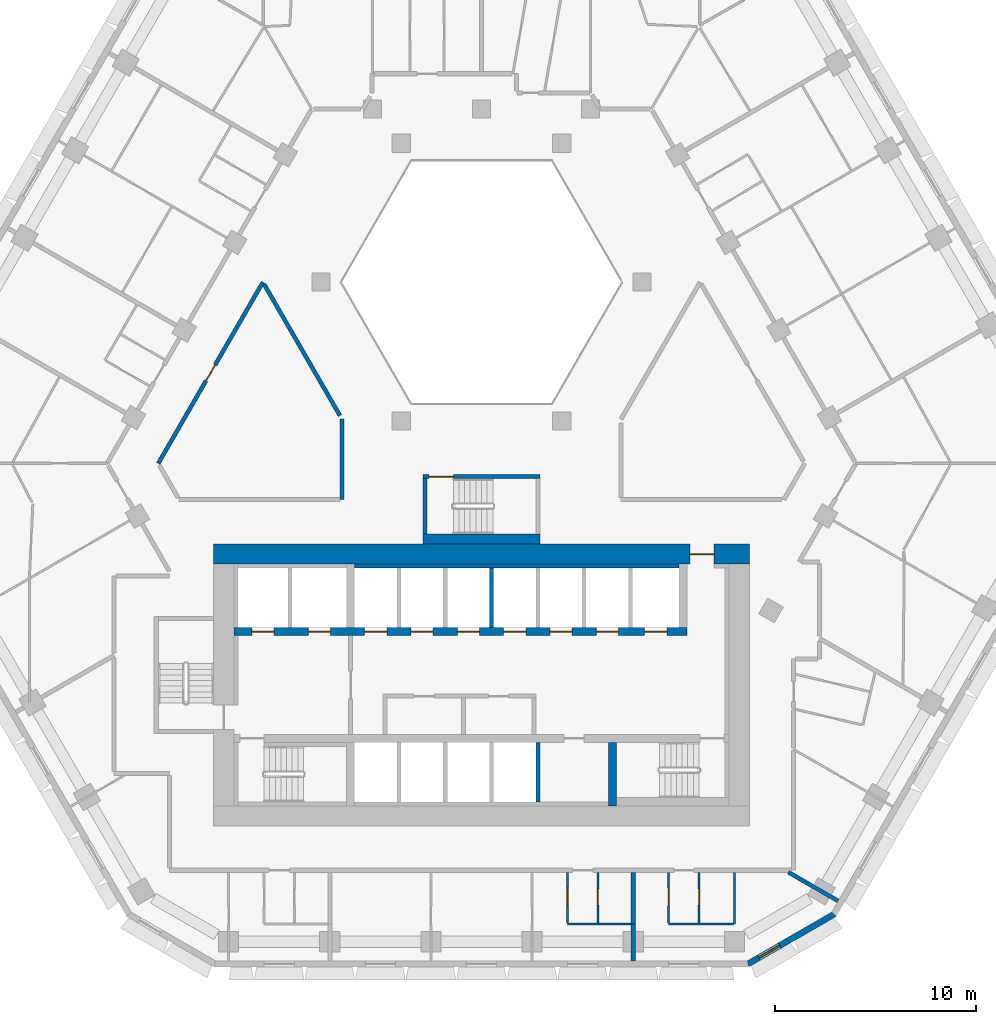
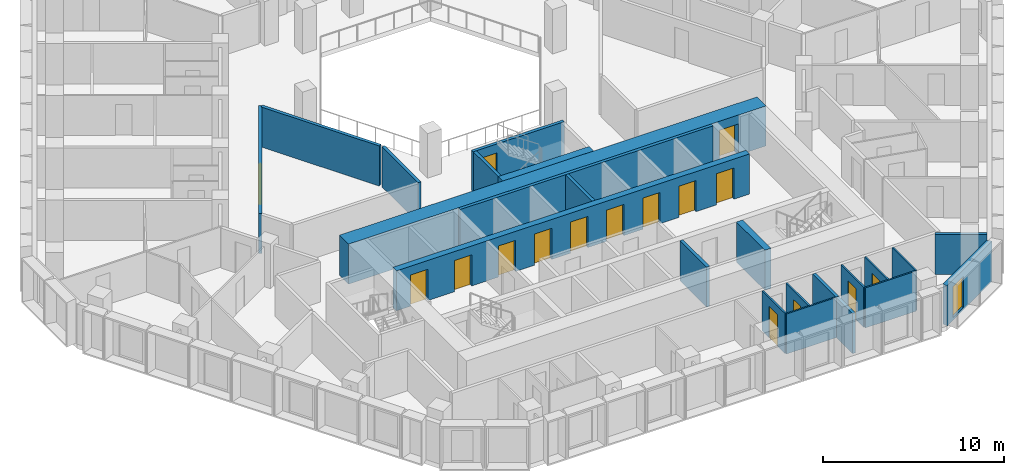
# One storey, part 5 of 15: 23 walls, 16 doors, 1 window, 17 openings.
"""IFC4 building model written with IfcOpenShell, lengths in metres."""

from ifc_helpers import new_model, si_unit, direction, frame, frame_2d, origin, place, context, subcontext, project, spatial, polyline, rectangle, outline, extrude, material, layer, layer_set, type_object, element, fill, save


model = new_model("IFC4")

# Units and contexts
model_context = context("Model", 3, precision=1e-05, world=origin(), true_north=direction((0.0, 1.0)))
body_context = subcontext(model_context, "Body", "Model", "MODEL_VIEW")
ifc_project = project(units=[si_unit("LENGTHUNIT", "METRE"), si_unit("AREAUNIT", "SQUARE_METRE"), si_unit("VOLUMEUNIT", "CUBIC_METRE"), si_unit("PLANEANGLEUNIT", "RADIAN"), si_unit("MASSUNIT", "GRAM", prefix="KILO")], contexts=[model_context])

# Site, building, storey
site_placement = place(None, origin())
site = spatial("IfcSite", under=ifc_project, at=site_placement, CompositionType="ELEMENT")
building_placement = place(site_placement, origin())
building = spatial("IfcBuilding", under=site, at=building_placement, Name="Beryl Residences", CompositionType="ELEMENT")
storey_placement = place(building_placement, frame((0.0, 0.0, 78.0)))
storey = spatial("IfcBuildingStorey", under=building, at=storey_placement, Name="L23", CompositionType="ELEMENT", Elevation=78.0)

# Wall, opening, window
ifc_material_1 = material(Name="Composite metal panel with mineral wool insulation")
ifc_layer_1 = layer(ifc_material_1, 0.300048828125)
ifc_layer_set_1 = layer_set([ifc_layer_1], Name="ES1 pale metal composite panel wall 300 mm")
wall_type_1 = type_object("IfcWallType", Name="ES1 pale metal composite panel wall 300 mm", PredefinedType="SOLIDWALL", material=ifc_layer_set_1)
wall_1_placement = place(storey_placement, frame((13.2041015625, -25.8701171875, 0.0), z_axis=(0.0, 0.0, 1.0), x_axis=(0.866010750942, 0.50002537861, 0.0)))
wall_1 = element("IfcWall", 1, at=wall_1_placement, inside=storey, type_object=wall_type_1, Name="ES1 external wall L23 S-SE", PredefinedType="SOLIDWALL", context=body_context, shape_type="SweptSolid", body=[
    extrude(outline(polyline([(0.0, -0.14990234375), (4.999755859375, -0.14990234375), (4.91943359375, 0.14990234375), (0.080322265625, 0.14990234375), (0.0, -0.14990234375)])), origin(), (0.0, 0.0, 1.0), 2.699951171875),
])
opening_1_placement = place(wall_1_placement, frame((0.64990234375, 0.0, 0.14990234375)))
opening_1 = element("IfcOpeningElement", 2, at=opening_1_placement, cuts=wall_1, Name="Opening W2", PredefinedType="OPENING", context=body_context, shape_type="SweptSolid", body=[
    extrude(rectangle(XDim=1.199951171875, YDim=2.10009765625, at=frame_2d((0.60009765625, 1.050048828125))), frame((0.0, 0.159912109375, 0.0), z_axis=(0.0, -1.0, 0.0), x_axis=(1.0, 0.0, 0.0)), (0.0, 0.0, 1.0), 0.320068359375),
])
ifc_material_2 = material(Name="Aluminium and clear glass", Category="aluminium")
window_type = type_object("IfcWindowType", Name="W2 chamfer window 1200 x 2100 mm", PartitioningType="SINGLE_PANEL", PredefinedType="WINDOW", material=ifc_material_2)
window_placement = place(opening_1_placement, origin())
window = element("IfcWindow", 3, at=window_placement, inside=storey, type_object=window_type, Name="W2 window L23 S-SE 1", OverallHeight=2.10009765625, OverallWidth=1.199951171875, PartitioningType="SINGLE_PANEL", PredefinedType="WINDOW", context=body_context, shape_type="SweptSolid", body=[
    extrude(rectangle(XDim=1.199951171875, YDim=2.10009765625, at=frame_2d((0.60009765625, 1.050048828125))), frame((0.0, 0.030029296875, 0.0), z_axis=(0.0, -1.0, 0.0), x_axis=(1.0, 0.0, 0.0)), (0.0, 0.0, 1.0), 0.06005859375),
])
fill(opening_1, window)

# Wall, opening, door
ifc_material_3 = material(Name="Gypsum board partition on steel studs", Category="steel")
ifc_layer_2 = layer(ifc_material_3, 0.10009765625)
ifc_layer_set_2 = layer_set([ifc_layer_2], Name="PT1 partition 100 mm gypsum board on steel studs")
wall_type_2 = type_object("IfcWallType", Name="PT1 partition 100 mm gypsum board on steel studs", PredefinedType="PARTITIONING", material=ifc_layer_set_2)
wall_2_placement = place(storey_placement, frame((4.27001953125, -21.300048828125, 0.0), z_axis=(0.0, 0.0, 1.0), x_axis=(0.0, -1.0, 0.0)))
wall_2 = element("IfcWall", 4, at=wall_2_placement, inside=storey, type_object=wall_type_2, Name="Wall PT1 L23 012", PredefinedType="PARTITIONING", context=body_context, shape_type="SweptSolid", body=[
    extrude(rectangle(XDim=2.509033203125, YDim=0.10009765625, at=frame_2d((1.25439453125, 0.0))), origin(), (0.0, 0.0, 1.0), 2.699951171875),
])
opening_2_placement = place(wall_2_placement, frame((0.780029296875, 0.0, 0.0)))
opening_2 = element("IfcOpeningElement", 5, at=opening_2_placement, cuts=wall_2, Name="Opening D0852", PredefinedType="OPENING", context=body_context, shape_type="SweptSolid", body=[
    extrude(rectangle(XDim=0.89990234375, YDim=2.10009765625, at=frame_2d((0.449951171875, 1.050048828125))), frame((0.0, 0.06005859375, 0.0), z_axis=(0.0, -1.0, 0.0), x_axis=(1.0, 0.0, 0.0)), (0.0, 0.0, 1.0), 0.1201171875),
])
ifc_material_4 = material(Name="Timber door leaf", Category="wood")
door_type_1 = type_object("IfcDoorType", Name="D2 room door 900 x 2100 mm", OperationType="SINGLE_SWING_LEFT", PredefinedType="DOOR", material=ifc_material_4)
door_1_placement = place(opening_2_placement, origin())
door_1 = element("IfcDoor", 6, at=door_1_placement, inside=storey, type_object=door_type_1, Name="Door D0852 L23 001", OperationType="SINGLE_SWING_RIGHT", OverallHeight=2.10009765625, OverallWidth=0.89990234375, PredefinedType="DOOR", context=body_context, shape_type="SweptSolid", body=[
    extrude(rectangle(XDim=0.89990234375, YDim=2.10009765625, at=frame_2d((0.449951171875, 1.050048828125))), frame((0.0, 0.02490234375, 0.0), z_axis=(0.0, -1.0, 0.0), x_axis=(1.0, 0.0, 0.0)), (0.0, 0.0, 1.0), 0.050048828125),
])
fill(opening_2, door_1)

wall_3_placement = place(storey_placement, frame((9.29296875, -21.300048828125, 0.0), z_axis=(0.0, 0.0, 1.0), x_axis=(0.0, -1.0, 0.0)))
wall_3 = element("IfcWall", 7, at=wall_3_placement, inside=storey, type_object=wall_type_2, Name="Wall PT1 L23 013", PredefinedType="PARTITIONING", context=body_context, shape_type="SweptSolid", body=[
    extrude(rectangle(XDim=2.509033203125, YDim=0.10009765625, at=frame_2d((1.25439453125, 0.0))), origin(), (0.0, 0.0, 1.0), 2.699951171875),
])
opening_3_placement = place(wall_3_placement, frame((0.780029296875, 0.0, 0.0)))
opening_3 = element("IfcOpeningElement", 8, at=opening_3_placement, cuts=wall_3, Name="Opening D0857", PredefinedType="OPENING", context=body_context, shape_type="SweptSolid", body=[
    extrude(rectangle(XDim=0.89990234375, YDim=2.10009765625, at=frame_2d((0.449951171875, 1.050048828125))), frame((0.0, 0.06005859375, 0.0), z_axis=(0.0, -1.0, 0.0), x_axis=(1.0, 0.0, 0.0)), (0.0, 0.0, 1.0), 0.1201171875),
])
door_2_placement = place(opening_3_placement, origin())
door_2 = element("IfcDoor", 9, at=door_2_placement, inside=storey, type_object=door_type_1, Name="Door D0857 L23 001", OperationType="SINGLE_SWING_LEFT", OverallHeight=2.10009765625, OverallWidth=0.89990234375, PredefinedType="DOOR", context=body_context, shape_type="SweptSolid", body=[
    extrude(rectangle(XDim=0.89990234375, YDim=2.10009765625, at=frame_2d((0.449951171875, 1.050048828125))), frame((0.0, 0.02490234375, 0.0), z_axis=(0.0, -1.0, 0.0), x_axis=(1.0, 0.0, 0.0)), (0.0, 0.0, 1.0), 0.050048828125),
])
fill(opening_3, door_2)

# Walls
wall_4_placement = place(storey_placement, frame((4.27099609375, -23.860107421875, 0.0), z_axis=(0.0, 0.0, 1.0), x_axis=(1.0, 0.0, 0.0)))
element("IfcWall", 10, at=wall_4_placement, inside=storey, type_object=wall_type_2, Name="Wall PT1 L23 030", PredefinedType="PARTITIONING", context=body_context, shape_type="SweptSolid", body=[
    extrude(rectangle(XDim=3.1640625, YDim=0.10009765625, at=frame_2d((1.58203125, 0.0))), origin(), (0.0, 0.0, 1.0), 2.699951171875),
])
wall_5_placement = place(storey_placement, frame((9.2939453125, -23.860107421875, 0.0), z_axis=(0.0, 0.0, 1.0), x_axis=(1.0, 0.0, 0.0)))
element("IfcWall", 11, at=wall_5_placement, inside=storey, type_object=wall_type_2, Name="Wall PT1 L23 031", PredefinedType="PARTITIONING", context=body_context, shape_type="SweptSolid", body=[
    extrude(rectangle(XDim=3.213134765625, YDim=0.10009765625, at=frame_2d((1.6064453125, 0.0))), origin(), (0.0, 0.0, 1.0), 2.699951171875),
])

# Wall, opening, door
wall_6_placement = place(storey_placement, frame((5.777099609375, -23.81005859375, 0.0), z_axis=(0.0, 0.0, 1.0), x_axis=(0.0, 1.0, 0.0)))
wall_6 = element("IfcWall", 12, at=wall_6_placement, inside=storey, type_object=wall_type_2, Name="Wall PT1 L23 048", PredefinedType="PARTITIONING", context=body_context, shape_type="SweptSolid", body=[
    extrude(rectangle(XDim=2.510009765625, YDim=0.10009765625, at=frame_2d((1.2548828125, 0.0))), origin(), (0.0, 0.0, 1.0), 2.699951171875),
])
opening_4_placement = place(wall_6_placement, frame((0.8798828125, 0.0, 0.0)))
opening_4 = element("IfcOpeningElement", 13, at=opening_4_placement, cuts=wall_6, Name="Opening D0853", PredefinedType="OPENING", context=body_context, shape_type="SweptSolid", body=[
    extrude(rectangle(XDim=0.800048828125, YDim=2.10009765625, at=frame_2d((0.39990234375, 1.050048828125))), frame((0.0, 0.06005859375, 0.0), z_axis=(0.0, -1.0, 0.0), x_axis=(1.0, 0.0, 0.0)), (0.0, 0.0, 1.0), 0.1201171875),
])
ifc_material_5 = material(Name="Timber door leaf", Category="wood")
door_type_2 = type_object("IfcDoorType", Name="D3 bathroom door 800 x 2100 mm", OperationType="SINGLE_SWING_LEFT", PredefinedType="DOOR", material=ifc_material_5)
door_3_placement = place(opening_4_placement, origin())
door_3 = element("IfcDoor", 14, at=door_3_placement, inside=storey, type_object=door_type_2, Name="Door D0853 L23 001", OperationType="SINGLE_SWING_LEFT", OverallHeight=2.10009765625, OverallWidth=0.800048828125, PredefinedType="DOOR", context=body_context, shape_type="SweptSolid", body=[
    extrude(rectangle(XDim=0.800048828125, YDim=2.10009765625, at=frame_2d((0.39990234375, 1.050048828125))), frame((0.0, 0.02490234375, 0.0), z_axis=(0.0, -1.0, 0.0), x_axis=(1.0, 0.0, 0.0)), (0.0, 0.0, 1.0), 0.050048828125),
])
fill(opening_4, door_3)

wall_7_placement = place(storey_placement, frame((10.800048828125, -23.81005859375, 0.0), z_axis=(0.0, 0.0, 1.0), x_axis=(0.0, 1.0, 0.0)))
wall_7 = element("IfcWall", 15, at=wall_7_placement, inside=storey, type_object=wall_type_2, Name="Wall PT1 L23 049", PredefinedType="PARTITIONING", context=body_context, shape_type="SweptSolid", body=[
    extrude(rectangle(XDim=2.510009765625, YDim=0.10009765625, at=frame_2d((1.2548828125, 0.0))), origin(), (0.0, 0.0, 1.0), 2.699951171875),
])
opening_5_placement = place(wall_7_placement, frame((0.8798828125, 0.0, 0.0)))
opening_5 = element("IfcOpeningElement", 16, at=opening_5_placement, cuts=wall_7, Name="Opening D0858", PredefinedType="OPENING", context=body_context, shape_type="SweptSolid", body=[
    extrude(rectangle(XDim=0.800048828125, YDim=2.10009765625, at=frame_2d((0.39990234375, 1.050048828125))), frame((0.0, 0.06005859375, 0.0), z_axis=(0.0, -1.0, 0.0), x_axis=(1.0, 0.0, 0.0)), (0.0, 0.0, 1.0), 0.1201171875),
])
door_4_placement = place(opening_5_placement, origin())
door_4 = element("IfcDoor", 17, at=door_4_placement, inside=storey, type_object=door_type_2, Name="Door D0858 L23 001", OperationType="SINGLE_SWING_RIGHT", OverallHeight=2.10009765625, OverallWidth=0.800048828125, PredefinedType="DOOR", context=body_context, shape_type="SweptSolid", body=[
    extrude(rectangle(XDim=0.800048828125, YDim=2.10009765625, at=frame_2d((0.39990234375, 1.050048828125))), frame((0.0, 0.02490234375, 0.0), z_axis=(0.0, -1.0, 0.0), x_axis=(1.0, 0.0, 0.0)), (0.0, 0.0, 1.0), 0.050048828125),
])
fill(opening_5, door_4)

# Walls
wall_8_placement = place(storey_placement, frame((12.55810546875, -23.85888671875, 0.0), z_axis=(0.0, 0.0, 1.0), x_axis=(0.0, 1.0, 0.0)))
element("IfcWall", 18, at=wall_8_placement, inside=storey, type_object=wall_type_2, Name="Wall PT1 L23 051", PredefinedType="PARTITIONING", context=body_context, shape_type="SweptSolid", body=[
    extrude(rectangle(XDim=2.558837890625, YDim=0.10009765625, at=frame_2d((1.279296875, 0.0))), origin(), (0.0, 0.0, 1.0), 2.699951171875),
])
ifc_material_6 = material(Name="Acoustic double stud gypsum board wall")
ifc_layer_3 = layer(ifc_material_6, 0.199951171875)
ifc_layer_set_3 = layer_set([ifc_layer_3], Name="PT3 party wall 200 mm acoustic double stud")
wall_type_3 = type_object("IfcWallType", Name="PT3 party wall 200 mm acoustic double stud", PredefinedType="PARTITIONING", material=ifc_layer_set_3)
wall_9_placement = place(storey_placement, frame((7.534912109375, -23.860107421875, 0.0), z_axis=(0.0, 0.0, 1.0), x_axis=(0.0, -1.0, 0.0)))
element("IfcWall", 19, at=wall_9_placement, inside=storey, type_object=wall_type_3, Name="Wall PT3 L23 002", PredefinedType="PARTITIONING", context=body_context, shape_type="SweptSolid", body=[
    extrude(rectangle(XDim=1.83984375, YDim=0.199951171875, at=frame_2d((0.919921875, 0.0))), origin(), (0.0, 0.0, 1.0), 2.699951171875),
])
wall_10_placement = place(storey_placement, frame((15.239990234375, -21.300048828125, 0.0), z_axis=(0.0, 0.0, 1.0), x_axis=(0.866090043625, -0.499888023795, 0.0)))
element("IfcWall", 20, at=wall_10_placement, inside=storey, type_object=wall_type_3, Name="Wall PT3 L23 004", PredefinedType="PARTITIONING", context=body_context, shape_type="SweptSolid", body=[
    extrude(rectangle(XDim=2.850830078125, YDim=0.199951171875, at=frame_2d((1.42529296875, 0.0))), origin(), (0.0, 0.0, 1.0), 2.699951171875),
])
wall_11_placement = place(storey_placement, frame((7.534912109375, -23.860107421875, 0.0), z_axis=(0.0, 0.0, 1.0), x_axis=(0.0, 1.0, 0.0)))
element("IfcWall", 21, at=wall_11_placement, inside=storey, type_object=wall_type_3, Name="Wall PT3 L23 008", PredefinedType="PARTITIONING", context=body_context, shape_type="SweptSolid", body=[
    extrude(rectangle(XDim=2.56005859375, YDim=0.199951171875, at=frame_2d((1.280029296875, 0.0))), origin(), (0.0, 0.0, 1.0), 2.699951171875),
])
ifc_material_7 = material(Name="Double stud gypsum board wall")
ifc_layer_4 = layer(ifc_material_7, 0.199951171875)
ifc_layer_set_4 = layer_set([ifc_layer_4], Name="PT4 corridor wall 200 mm double stud")
wall_type_4 = type_object("IfcWallType", Name="PT4 corridor wall 200 mm double stud", PredefinedType="PARTITIONING", material=ifc_layer_set_4)
wall_12_placement = place(storey_placement, frame((-10.7958984375, 7.89892578125, 0.0), z_axis=(0.0, 0.0, 1.0), x_axis=(0.500010383074, -0.866019409031, 0.0)))
element("IfcWall", 22, at=wall_12_placement, inside=storey, type_object=wall_type_4, Name="Wall PT4 L23 001", PredefinedType="PARTITIONING", context=body_context, shape_type="SweptSolid", body=[
    extrude(rectangle(XDim=7.535400390625, YDim=0.199951171875, at=frame_2d((3.767578125, 0.0))), origin(), (0.0, 0.0, 1.0), 2.699951171875),
])

# Wall, opening, door
wall_13_placement = place(storey_placement, frame((-16.050048828125, -1.0, 0.0), z_axis=(0.0, 0.0, 1.0), x_axis=(0.499962449088, 0.866047082728, 0.0)))
wall_13 = element("IfcWall", 23, at=wall_13_placement, inside=storey, type_object=wall_type_4, Name="Wall PT4 L23 027", PredefinedType="PARTITIONING", context=body_context, shape_type="SweptSolid", body=[
    extrude(rectangle(XDim=10.390869140625, YDim=0.199951171875, at=frame_2d((5.1953125, 0.0))), origin(), (0.0, 0.0, 1.0), 2.699951171875),
])
opening_6_placement = place(wall_13_placement, frame((4.7451171875, 0.0, 0.0)))
opening_6 = element("IfcOpeningElement", 24, at=opening_6_placement, cuts=wall_13, Name="Opening D0863", PredefinedType="OPENING", context=body_context, shape_type="SweptSolid", body=[
    extrude(rectangle(XDim=0.89990234375, YDim=2.10009765625, at=frame_2d((0.449951171875, 1.050048828125))), frame((0.0, 0.10986328125, 0.0), z_axis=(0.0, -1.0, 0.0), x_axis=(1.0, 0.0, 0.0)), (0.0, 0.0, 1.0), 0.219970703125),
])
door_5_placement = place(opening_6_placement, origin())
door_5 = element("IfcDoor", 25, at=door_5_placement, inside=storey, type_object=door_type_1, Name="Door D0863 L23 001", OperationType="SINGLE_SWING_LEFT", OverallHeight=2.10009765625, OverallWidth=0.89990234375, PredefinedType="DOOR", context=body_context, shape_type="SweptSolid", body=[
    extrude(rectangle(XDim=0.89990234375, YDim=2.10009765625, at=frame_2d((0.449951171875, 1.050048828125))), frame((0.0, 0.02490234375, 0.0), z_axis=(0.0, -1.0, 0.0), x_axis=(1.0, 0.0, 0.0)), (0.0, 0.0, 1.0), 0.050048828125),
])
fill(opening_6, door_5)

# Wall
wall_14_placement = place(storey_placement, frame((-6.927978515625, -2.799072265625, 0.0), z_axis=(0.0, 0.0, 1.0), x_axis=(0.0, 1.0, 0.0)))
element("IfcWall", 26, at=wall_14_placement, inside=storey, type_object=wall_type_4, Name="Wall PT4 L23 034", PredefinedType="PARTITIONING", context=body_context, shape_type="SweptSolid", body=[
    extrude(rectangle(XDim=3.9990234375, YDim=0.199951171875, at=frame_2d((1.99951171875, 0.0))), origin(), (0.0, 0.0, 1.0), 2.699951171875),
])

# Wall, opening, door
ifc_material_8 = material(Name="Concrete C40/50", Category="concrete")
ifc_layer_5 = layer(ifc_material_8, 0.199951171875)
ifc_layer_set_5 = layer_set([ifc_layer_5], Name="PT5 stair enclosure wall 200 mm reinforced concrete C40/50")
wall_type_5 = type_object("IfcWallType", Name="PT5 stair enclosure wall 200 mm reinforced concrete C40/50", PredefinedType="SOLIDWALL", material=ifc_layer_set_5)
wall_15_placement = place(storey_placement, frame((-2.89990234375, -1.64990234375, 0.0), z_axis=(0.0, 0.0, 1.0), x_axis=(1.0, 0.0, 0.0)))
wall_15 = element("IfcWall", 27, at=wall_15_placement, inside=storey, type_object=wall_type_5, Name="Wall PT5 L23 001", PredefinedType="SOLIDWALL", context=body_context, shape_type="SweptSolid", body=[
    extrude(rectangle(XDim=5.7998046875, YDim=0.199951171875, at=frame_2d((2.89990234375, 0.0))), origin(), (0.0, 0.0, 1.0), 2.699951171875),
])
opening_7_placement = place(wall_15_placement, frame((0.300048828125, 0.0, 0.0)))
opening_7 = element("IfcOpeningElement", 28, at=opening_7_placement, cuts=wall_15, Name="Opening DS04", PredefinedType="OPENING", context=body_context, shape_type="SweptSolid", body=[
    extrude(rectangle(XDim=1.199951171875, YDim=2.10009765625, at=frame_2d((0.60009765625, 1.050048828125))), frame((0.0, 0.10986328125, 0.0), z_axis=(0.0, -1.0, 0.0), x_axis=(1.0, 0.0, 0.0)), (0.0, 0.0, 1.0), 0.219970703125),
])
ifc_material_9 = material(Name="Steel door leaf in steel frame", Category="steel")
door_type_3 = type_object("IfcDoorType", Name="D4 stair door 1200 x 2100 mm", OperationType="SINGLE_SWING_LEFT", PredefinedType="DOOR", material=ifc_material_9)
door_6_placement = place(opening_7_placement, origin())
door_6 = element("IfcDoor", 29, at=door_6_placement, inside=storey, type_object=door_type_3, Name="Door DS04 L23 001", OperationType="SINGLE_SWING_LEFT", OverallHeight=2.10009765625, OverallWidth=1.199951171875, PredefinedType="DOOR", context=body_context, shape_type="SweptSolid", body=[
    extrude(rectangle(XDim=1.199951171875, YDim=2.10009765625, at=frame_2d((0.60009765625, 1.050048828125))), frame((0.0, 0.02490234375, 0.0), z_axis=(0.0, -1.0, 0.0), x_axis=(1.0, 0.0, 0.0)), (0.0, 0.0, 1.0), 0.050048828125),
])
fill(opening_7, door_6)

# Walls
wall_16_placement = place(storey_placement, frame((-2.800048828125, -4.5, 0.0), z_axis=(0.0, 0.0, 1.0), x_axis=(0.0, 1.0, 0.0)))
element("IfcWall", 30, at=wall_16_placement, inside=storey, type_object=wall_type_5, Name="Wall PT5 L23 002", PredefinedType="SOLIDWALL", context=body_context, shape_type="SweptSolid", body=[
    extrude(rectangle(XDim=2.75, YDim=0.199951171875, at=frame_2d((1.375, 0.0))), origin(), (0.0, 0.0, 1.0), 2.699951171875),
])
ifc_material_10 = material(Name="Concrete C40/50", Category="concrete")
ifc_layer_6 = layer(ifc_material_10, 0.5)
ifc_layer_set_6 = layer_set([ifc_layer_6], Name="PT5-500 stair enclosure wall 500 mm")
wall_type_6 = type_object("IfcWallType", Name="PT5-500 stair enclosure wall 500 mm", PredefinedType="SOLIDWALL", material=ifc_layer_set_6)
wall_17_placement = place(storey_placement, frame((-2.89990234375, -4.75, 0.0), z_axis=(0.0, 0.0, 1.0), x_axis=(1.0, 0.0, 0.0)))
element("IfcWall", 31, at=wall_17_placement, inside=storey, type_object=wall_type_6, Name="Wall PT5-500 L23 001", PredefinedType="SOLIDWALL", context=body_context, shape_type="SweptSolid", body=[
    extrude(rectangle(XDim=5.7998046875, YDim=0.5, at=frame_2d((2.89990234375, 0.0))), origin(), (0.0, 0.0, 1.0), 2.699951171875),
])
ifc_material_11 = material(Name="Concrete C40/50", Category="concrete")
ifc_layer_7 = layer(ifc_material_11, 0.199951171875)
ifc_layer_set_7 = layer_set([ifc_layer_7], Name="PT6 lift shaft wall 200 mm reinforced concrete C40/50")
wall_type_7 = type_object("IfcWallType", Name="PT6 lift shaft wall 200 mm reinforced concrete C40/50", PredefinedType="SOLIDWALL", material=ifc_layer_set_7)
wall_18_placement = place(storey_placement, frame((-6.300048828125, -6.10009765625, 0.0), z_axis=(0.0, 0.0, 1.0), x_axis=(1.0, 0.0, 0.0)))
element("IfcWall", 32, at=wall_18_placement, inside=storey, type_object=wall_type_7, Name="Lift shaft wall 13", PredefinedType="SOLIDWALL", context=body_context, shape_type="SweptSolid", body=[
    extrude(rectangle(XDim=16.10009765625, YDim=0.199951171875, at=frame_2d((8.050048828125, 0.0))), origin(), (0.0, 0.0, 1.0), 2.699951171875),
])
for number, where, z_axis, x_axis, name in (
    (33, (0.5, -9.14990234375, 0.0), (0.0, 0.0, 1.0), (0.0, 1.0, 0.0), "Lift shaft wall 22"),
    (34, (2.800048828125, -17.800048828125, 0.0), (0.0, 0.0, 1.0), (0.0, 1.0, 0.0), "Lift shaft wall 24"),
):
    element("IfcWall", number, at=place(storey_placement, frame(where, z_axis=z_axis, x_axis=x_axis)), inside=storey, type_object=wall_type_7, Name=name, PredefinedType="SOLIDWALL", context=body_context, shape_type="SweptSolid", body=[
        extrude(rectangle(XDim=2.949951171875, YDim=0.199951171875, at=frame_2d((1.47509765625, 0.0))), origin(), (0.0, 0.0, 1.0), 2.699951171875),
    ])

# Wall, opening, door
ifc_material_12 = material(Name="Concrete C70/85", Category="concrete")
ifc_layer_8 = layer(ifc_material_12, 1.0)
ifc_layer_set_8 = layer_set([ifc_layer_8], Name="SW2 core outer wall 1000 mm C70/85")
wall_type_8 = type_object("IfcWallType", Name="SW2 core outer wall 1000 mm C70/85", PredefinedType="SHEAR", material=ifc_layer_set_8)
wall_19_placement = place(storey_placement, frame((-13.300048828125, -5.5, 0.0), z_axis=(0.0, 0.0, 1.0), x_axis=(1.0, 0.0, 0.0)))
wall_19 = element("IfcWall", 35, at=wall_19_placement, inside=storey, type_object=wall_type_8, Name="Core wall N L23", PredefinedType="SHEAR", context=body_context, shape_type="SweptSolid", body=[
    extrude(rectangle(XDim=26.60009765625, YDim=1.0, at=frame_2d((13.300048828125, 0.0))), origin(), (0.0, 0.0, 1.0), 2.699951171875),
])
opening_8_placement = place(wall_19_placement, frame((23.64990234375, 0.0, 0.0)))
opening_8 = element("IfcOpeningElement", 36, at=opening_8_placement, cuts=wall_19, Name="Opening FD-NORTH", PredefinedType="OPENING", context=body_context, shape_type="SweptSolid", body=[
    extrude(rectangle(XDim=1.199951171875, YDim=2.10009765625, at=frame_2d((0.60009765625, 1.050048828125))), frame((0.0, 0.510009765625, 0.0), z_axis=(0.0, -1.0, 0.0), x_axis=(1.0, 0.0, 0.0)), (0.0, 0.0, 1.0), 1.02001953125),
])
ifc_material_13 = material(Name="Steel door leaf in steel frame", Category="steel")
door_type_4 = type_object("IfcDoorType", Name="D22 lobby door 1200 x 2100 mm", OperationType="DOUBLE_DOOR_SINGLE_SWING", PredefinedType="DOOR", material=ifc_material_13)
door_7_placement = place(opening_8_placement, origin())
door_7 = element("IfcDoor", 37, at=door_7_placement, inside=storey, type_object=door_type_4, Name="Door FD-NORTH L23 001", OperationType="DOUBLE_DOOR_SINGLE_SWING", OverallHeight=2.10009765625, OverallWidth=1.199951171875, PredefinedType="DOOR", context=body_context, shape_type="SweptSolid", body=[
    extrude(rectangle(XDim=1.199951171875, YDim=2.10009765625, at=frame_2d((0.60009765625, 1.050048828125))), frame((0.0, 0.02490234375, 0.0), z_axis=(0.0, -1.0, 0.0), x_axis=(1.0, 0.0, 0.0)), (0.0, 0.0, 1.0), 0.050048828125),
])
fill(opening_8, door_7)

# Wall, openings, doors
ifc_material_14 = material(Name="Concrete C70/85", Category="concrete")
ifc_layer_9 = layer(ifc_material_14, 0.39990234375)
ifc_layer_set_9 = layer_set([ifc_layer_9], Name="SW7 core internal wall 400 mm C70/85")
wall_type_9 = type_object("IfcWallType", Name="SW7 core internal wall 400 mm C70/85", PredefinedType="SHEAR", material=ifc_layer_set_9)
wall_20_placement = place(storey_placement, frame((-12.300048828125, -9.35009765625, 0.0), z_axis=(0.0, 0.0, 1.0), x_axis=(1.0, 0.0, 0.0)))
wall_20 = element("IfcWall", 38, at=wall_20_placement, inside=storey, type_object=wall_type_9, Name="Core wall SP2 L23", PredefinedType="SHEAR", context=body_context, shape_type="SweptSolid", body=[
    extrude(rectangle(XDim=22.5, YDim=0.39990234375, at=frame_2d((11.25, 0.0))), origin(), (0.0, 0.0, 1.0), 2.699951171875),
])
opening_9_placement = place(wall_20_placement, frame((0.89990234375, 0.0, 0.0)))
opening_9 = element("IfcOpeningElement", 39, at=opening_9_placement, cuts=wall_20, Name="Opening LD-FF1", PredefinedType="OPENING", context=body_context, shape_type="SweptSolid", body=[
    extrude(rectangle(XDim=1.10009765625, YDim=2.10009765625, at=frame_2d((0.550048828125, 1.050048828125))), frame((0.0, 0.2099609375, 0.0), z_axis=(0.0, -1.0, 0.0), x_axis=(1.0, 0.0, 0.0)), (0.0, 0.0, 1.0), 0.419921875),
])
opening_10_placement = place(wall_20_placement, frame((3.699951171875, 0.0, 0.0)))
opening_10 = element("IfcOpeningElement", 40, at=opening_10_placement, cuts=wall_20, Name="Opening LD-FF2", PredefinedType="OPENING", context=body_context, shape_type="SweptSolid", body=[
    extrude(rectangle(XDim=1.10009765625, YDim=2.10009765625, at=frame_2d((0.550048828125, 1.050048828125))), frame((0.0, 0.2099609375, 0.0), z_axis=(0.0, -1.0, 0.0), x_axis=(1.0, 0.0, 0.0)), (0.0, 0.0, 1.0), 0.419921875),
])
opening_11_placement = place(wall_20_placement, frame((6.5, 0.0, 0.0)))
opening_11 = element("IfcOpeningElement", 41, at=opening_11_placement, cuts=wall_20, Name="Opening LD-LR1", PredefinedType="OPENING", context=body_context, shape_type="SweptSolid", body=[
    extrude(rectangle(XDim=1.10009765625, YDim=2.10009765625, at=frame_2d((0.550048828125, 1.050048828125))), frame((0.0, 0.2099609375, 0.0), z_axis=(0.0, -1.0, 0.0), x_axis=(1.0, 0.0, 0.0)), (0.0, 0.0, 1.0), 0.419921875),
])
opening_12_placement = place(wall_20_placement, frame((8.800048828125, 0.0, 0.0)))
opening_12 = element("IfcOpeningElement", 42, at=opening_12_placement, cuts=wall_20, Name="Opening LD-LR2", PredefinedType="OPENING", context=body_context, shape_type="SweptSolid", body=[
    extrude(rectangle(XDim=1.10009765625, YDim=2.10009765625, at=frame_2d((0.550048828125, 1.050048828125))), frame((0.0, 0.2099609375, 0.0), z_axis=(0.0, -1.0, 0.0), x_axis=(1.0, 0.0, 0.0)), (0.0, 0.0, 1.0), 0.419921875),
])
opening_13_placement = place(wall_20_placement, frame((11.10009765625, 0.0, 0.0)))
opening_13 = element("IfcOpeningElement", 43, at=opening_13_placement, cuts=wall_20, Name="Opening LD-LR3", PredefinedType="OPENING", context=body_context, shape_type="SweptSolid", body=[
    extrude(rectangle(XDim=1.10009765625, YDim=2.10009765625, at=frame_2d((0.550048828125, 1.050048828125))), frame((0.0, 0.2099609375, 0.0), z_axis=(0.0, -1.0, 0.0), x_axis=(1.0, 0.0, 0.0)), (0.0, 0.0, 1.0), 0.419921875),
])
opening_14_placement = place(wall_20_placement, frame((13.39990234375, 0.0, 0.0)))
opening_14 = element("IfcOpeningElement", 44, at=opening_14_placement, cuts=wall_20, Name="Opening LD-LR4", PredefinedType="OPENING", context=body_context, shape_type="SweptSolid", body=[
    extrude(rectangle(XDim=1.10009765625, YDim=2.10009765625, at=frame_2d((0.550048828125, 1.050048828125))), frame((0.0, 0.2099609375, 0.0), z_axis=(0.0, -1.0, 0.0), x_axis=(1.0, 0.0, 0.0)), (0.0, 0.0, 1.0), 0.419921875),
])
opening_15_placement = place(wall_20_placement, frame((15.699951171875, 0.0, 0.0)))
opening_15 = element("IfcOpeningElement", 45, at=opening_15_placement, cuts=wall_20, Name="Opening LD-LR5", PredefinedType="OPENING", context=body_context, shape_type="SweptSolid", body=[
    extrude(rectangle(XDim=1.10009765625, YDim=2.10009765625, at=frame_2d((0.550048828125, 1.050048828125))), frame((0.0, 0.2099609375, 0.0), z_axis=(0.0, -1.0, 0.0), x_axis=(1.0, 0.0, 0.0)), (0.0, 0.0, 1.0), 0.419921875),
])
opening_16_placement = place(wall_20_placement, frame((18.0, 0.0, 0.0)))
opening_16 = element("IfcOpeningElement", 46, at=opening_16_placement, cuts=wall_20, Name="Opening LD-LR6", PredefinedType="OPENING", context=body_context, shape_type="SweptSolid", body=[
    extrude(rectangle(XDim=1.10009765625, YDim=2.10009765625, at=frame_2d((0.550048828125, 1.050048828125))), frame((0.0, 0.2099609375, 0.0), z_axis=(0.0, -1.0, 0.0), x_axis=(1.0, 0.0, 0.0)), (0.0, 0.0, 1.0), 0.419921875),
])
opening_17_placement = place(wall_20_placement, frame((20.39990234375, 0.0, 0.0)))
opening_17 = element("IfcOpeningElement", 47, at=opening_17_placement, cuts=wall_20, Name="Opening LD-SL1", PredefinedType="OPENING", context=body_context, shape_type="SweptSolid", body=[
    extrude(rectangle(XDim=1.10009765625, YDim=2.10009765625, at=frame_2d((0.550048828125, 1.050048828125))), frame((0.0, 0.2099609375, 0.0), z_axis=(0.0, -1.0, 0.0), x_axis=(1.0, 0.0, 0.0)), (0.0, 0.0, 1.0), 0.419921875),
])
ifc_material_15 = material(Name="Stainless steel sliding door", Category="steel")
door_type_5 = type_object("IfcDoorType", Name="LD1 lift landing door 1100 x 2100 mm", OperationType="DOUBLE_DOOR_SLIDING", PredefinedType="DOOR", material=ifc_material_15)
door_8_placement = place(opening_9_placement, origin())
door_8 = element("IfcDoor", 48, at=door_8_placement, inside=storey, type_object=door_type_5, Name="Lift landing door FF1", OperationType="DOUBLE_DOOR_SLIDING", OverallHeight=2.10009765625, OverallWidth=1.10009765625, PredefinedType="DOOR", context=body_context, shape_type="SweptSolid", body=[
    extrude(rectangle(XDim=1.10009765625, YDim=2.10009765625, at=frame_2d((0.550048828125, 1.050048828125))), frame((0.0, 0.02490234375, 0.0), z_axis=(0.0, -1.0, 0.0), x_axis=(1.0, 0.0, 0.0)), (0.0, 0.0, 1.0), 0.050048828125),
])
fill(opening_9, door_8)
door_9_placement = place(opening_10_placement, origin())
door_9 = element("IfcDoor", 49, at=door_9_placement, inside=storey, type_object=door_type_5, Name="Lift landing door FF2", OperationType="DOUBLE_DOOR_SLIDING", OverallHeight=2.10009765625, OverallWidth=1.10009765625, PredefinedType="DOOR", context=body_context, shape_type="SweptSolid", body=[
    extrude(rectangle(XDim=1.10009765625, YDim=2.10009765625, at=frame_2d((0.550048828125, 1.050048828125))), frame((0.0, 0.02490234375, 0.0), z_axis=(0.0, -1.0, 0.0), x_axis=(1.0, 0.0, 0.0)), (0.0, 0.0, 1.0), 0.050048828125),
])
fill(opening_10, door_9)
door_10_placement = place(opening_11_placement, origin())
door_10 = element("IfcDoor", 50, at=door_10_placement, inside=storey, type_object=door_type_5, Name="Lift landing door LR1", OperationType="DOUBLE_DOOR_SLIDING", OverallHeight=2.10009765625, OverallWidth=1.10009765625, PredefinedType="DOOR", context=body_context, shape_type="SweptSolid", body=[
    extrude(rectangle(XDim=1.10009765625, YDim=2.10009765625, at=frame_2d((0.550048828125, 1.050048828125))), frame((0.0, 0.02490234375, 0.0), z_axis=(0.0, -1.0, 0.0), x_axis=(1.0, 0.0, 0.0)), (0.0, 0.0, 1.0), 0.050048828125),
])
fill(opening_11, door_10)
door_11_placement = place(opening_12_placement, origin())
door_11 = element("IfcDoor", 51, at=door_11_placement, inside=storey, type_object=door_type_5, Name="Lift landing door LR2", OperationType="DOUBLE_DOOR_SLIDING", OverallHeight=2.10009765625, OverallWidth=1.10009765625, PredefinedType="DOOR", context=body_context, shape_type="SweptSolid", body=[
    extrude(rectangle(XDim=1.10009765625, YDim=2.10009765625, at=frame_2d((0.550048828125, 1.050048828125))), frame((0.0, 0.02490234375, 0.0), z_axis=(0.0, -1.0, 0.0), x_axis=(1.0, 0.0, 0.0)), (0.0, 0.0, 1.0), 0.050048828125),
])
fill(opening_12, door_11)
door_12_placement = place(opening_13_placement, origin())
door_12 = element("IfcDoor", 52, at=door_12_placement, inside=storey, type_object=door_type_5, Name="Lift landing door LR3", OperationType="DOUBLE_DOOR_SLIDING", OverallHeight=2.10009765625, OverallWidth=1.10009765625, PredefinedType="DOOR", context=body_context, shape_type="SweptSolid", body=[
    extrude(rectangle(XDim=1.10009765625, YDim=2.10009765625, at=frame_2d((0.550048828125, 1.050048828125))), frame((0.0, 0.02490234375, 0.0), z_axis=(0.0, -1.0, 0.0), x_axis=(1.0, 0.0, 0.0)), (0.0, 0.0, 1.0), 0.050048828125),
])
fill(opening_13, door_12)
door_13_placement = place(opening_14_placement, origin())
door_13 = element("IfcDoor", 53, at=door_13_placement, inside=storey, type_object=door_type_5, Name="Lift landing door LR4", OperationType="DOUBLE_DOOR_SLIDING", OverallHeight=2.10009765625, OverallWidth=1.10009765625, PredefinedType="DOOR", context=body_context, shape_type="SweptSolid", body=[
    extrude(rectangle(XDim=1.10009765625, YDim=2.10009765625, at=frame_2d((0.550048828125, 1.050048828125))), frame((0.0, 0.02490234375, 0.0), z_axis=(0.0, -1.0, 0.0), x_axis=(1.0, 0.0, 0.0)), (0.0, 0.0, 1.0), 0.050048828125),
])
fill(opening_14, door_13)
door_14_placement = place(opening_15_placement, origin())
door_14 = element("IfcDoor", 54, at=door_14_placement, inside=storey, type_object=door_type_5, Name="Lift landing door LR5", OperationType="DOUBLE_DOOR_SLIDING", OverallHeight=2.10009765625, OverallWidth=1.10009765625, PredefinedType="DOOR", context=body_context, shape_type="SweptSolid", body=[
    extrude(rectangle(XDim=1.10009765625, YDim=2.10009765625, at=frame_2d((0.550048828125, 1.050048828125))), frame((0.0, 0.02490234375, 0.0), z_axis=(0.0, -1.0, 0.0), x_axis=(1.0, 0.0, 0.0)), (0.0, 0.0, 1.0), 0.050048828125),
])
fill(opening_15, door_14)
door_15_placement = place(opening_16_placement, origin())
door_15 = element("IfcDoor", 55, at=door_15_placement, inside=storey, type_object=door_type_5, Name="Lift landing door LR6", OperationType="DOUBLE_DOOR_SLIDING", OverallHeight=2.10009765625, OverallWidth=1.10009765625, PredefinedType="DOOR", context=body_context, shape_type="SweptSolid", body=[
    extrude(rectangle(XDim=1.10009765625, YDim=2.10009765625, at=frame_2d((0.550048828125, 1.050048828125))), frame((0.0, 0.02490234375, 0.0), z_axis=(0.0, -1.0, 0.0), x_axis=(1.0, 0.0, 0.0)), (0.0, 0.0, 1.0), 0.050048828125),
])
fill(opening_16, door_15)
door_16_placement = place(opening_17_placement, origin())
door_16 = element("IfcDoor", 56, at=door_16_placement, inside=storey, type_object=door_type_5, Name="Lift landing door SL1", OperationType="DOUBLE_DOOR_SLIDING", OverallHeight=2.10009765625, OverallWidth=1.10009765625, PredefinedType="DOOR", context=body_context, shape_type="SweptSolid", body=[
    extrude(rectangle(XDim=1.10009765625, YDim=2.10009765625, at=frame_2d((0.550048828125, 1.050048828125))), frame((0.0, 0.02490234375, 0.0), z_axis=(0.0, -1.0, 0.0), x_axis=(1.0, 0.0, 0.0)), (0.0, 0.0, 1.0), 0.050048828125),
])
fill(opening_17, door_16)

# Wall
wall_21_placement = place(storey_placement, frame((6.5, -18.0, 0.0), z_axis=(0.0, 0.0, 1.0), x_axis=(0.0, 1.0, 0.0)))
element("IfcWall", 57, at=wall_21_placement, inside=storey, type_object=wall_type_9, Name="Core wall XS2 L23", PredefinedType="SHEAR", context=body_context, shape_type="SweptSolid", body=[
    extrude(rectangle(XDim=3.14990234375, YDim=0.39990234375, at=frame_2d((1.574951171875, 0.0))), origin(), (0.0, 0.0, 1.0), 2.699951171875),
])

save(model, "model.ifc")
